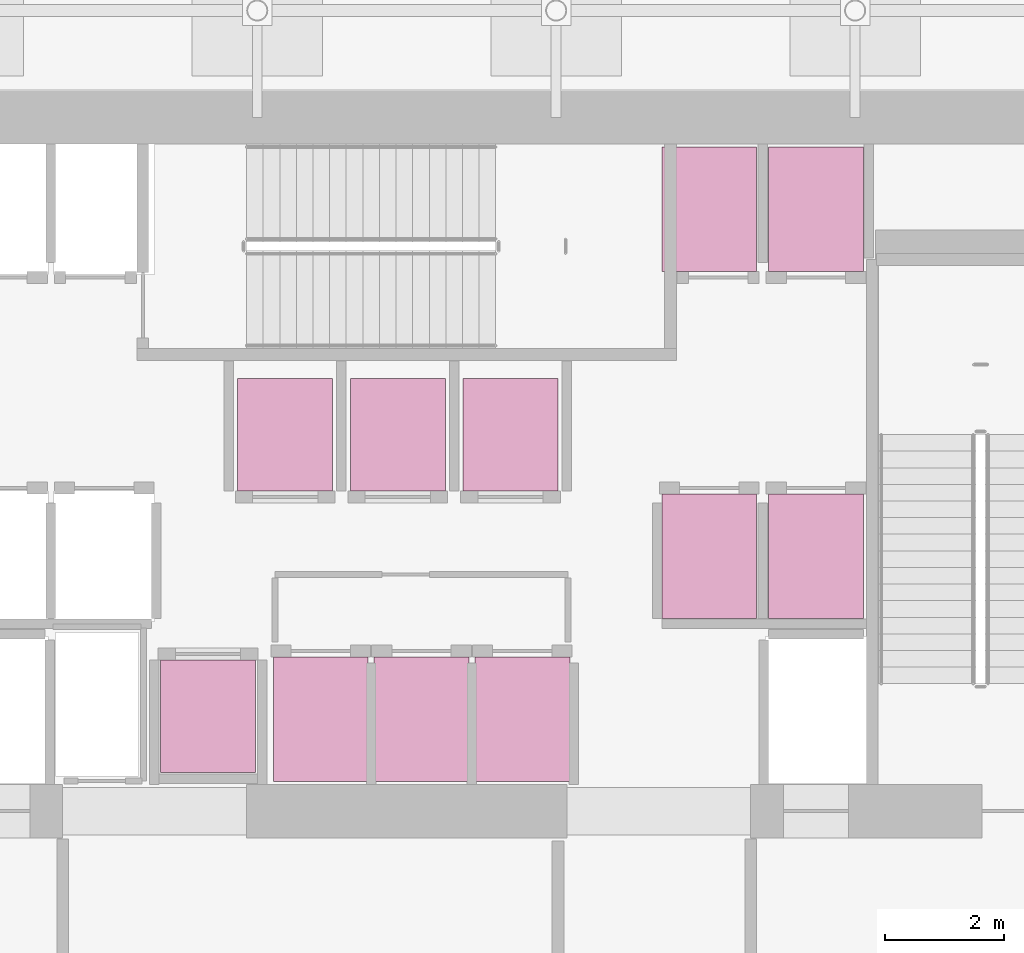
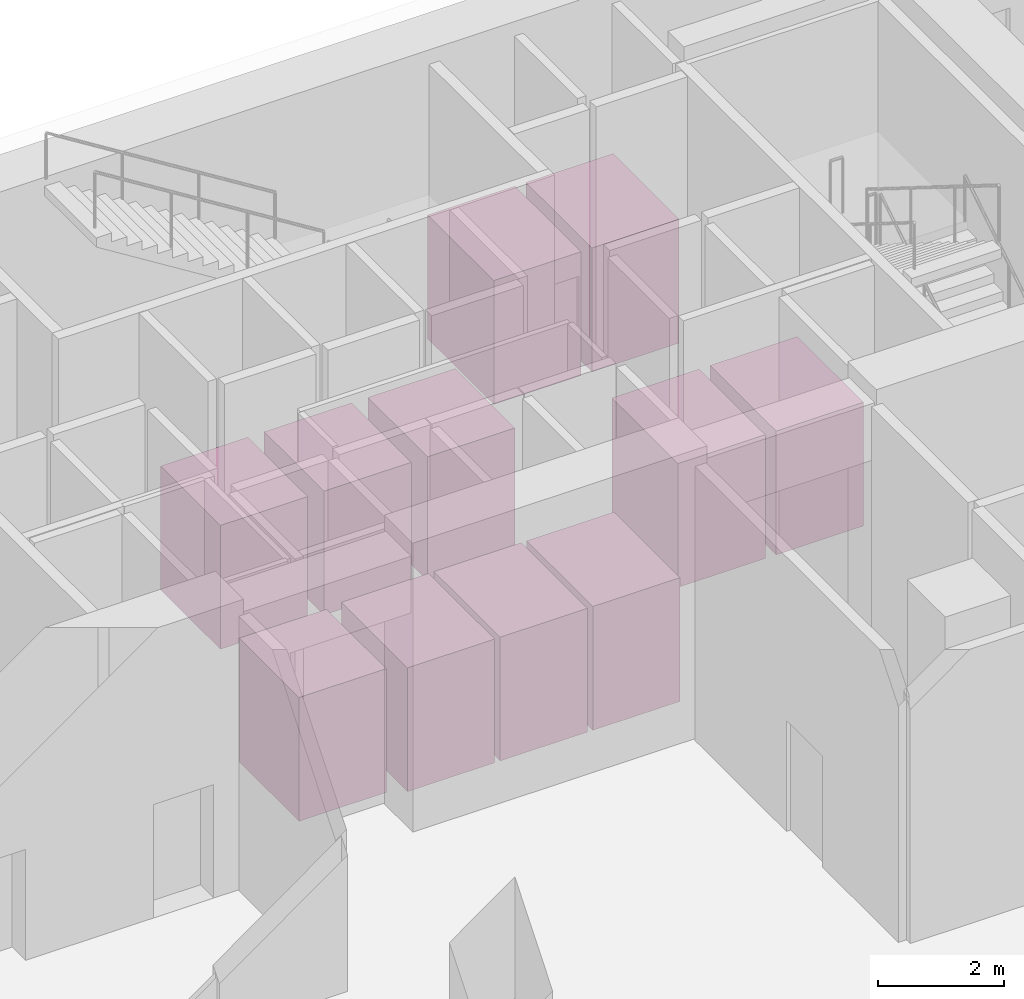
# One storey, part 35 of 35: 11 transport elements.
"""IFC4 building model written with IfcOpenShell, lengths in metres."""

from ifc_helpers import new_model, si_unit, direction, frame, origin, origin_2d, place, context, subcontext, project, spatial, rectangle, extrude, material, type_object, element, save


model = new_model("IFC4")

# Units and contexts
model_context = context("Model", 3, precision=1e-05, world=origin(), true_north=direction((0.0, 1.0)))
body_context = subcontext(model_context, "Body", "Model", "MODEL_VIEW")
ifc_project = project(units=[si_unit("LENGTHUNIT", "METRE"), si_unit("AREAUNIT", "SQUARE_METRE"), si_unit("VOLUMEUNIT", "CUBIC_METRE"), si_unit("PLANEANGLEUNIT", "RADIAN"), si_unit("MASSUNIT", "GRAM", prefix="KILO")], contexts=[model_context])

# Site, building, storey
site_placement = place(None, origin())
site = spatial("IfcSite", under=ifc_project, at=site_placement, CompositionType="ELEMENT")
building_placement = place(site_placement, origin())
building = spatial("IfcBuilding", under=site, at=building_placement, Name="Maruvema Waterfront Hotel and Observation Tower", CompositionType="ELEMENT")
storey_placement = place(building_placement, origin())
storey = spatial("IfcBuildingStorey", under=building, at=storey_placement, Name="L00", CompositionType="ELEMENT", Elevation=0.0)

# Transport elements
ifc_material_1 = material(Name="Brushed stainless steel Grade 316", Category="steel")
transport_element_type_1 = type_object("IfcTransportElementType", Name="Observation Express Shuttle Car 1600x1900 mm (2000 kg)", PredefinedType="ELEVATOR", material=ifc_material_1)
for number, where, z_axis, x_axis, name in (
    (1, (35.75, 48.199951171875, 0.050048828125), (0.0, 0.0, 1.0), (1.0, 0.0, 0.0), "Passenger Elevator Car LF-12"),
    (2, (37.64990234375, 48.199951171875, 0.050048828125), (0.0, 0.0, 1.0), (1.0, 0.0, 0.0), "Passenger Elevator Car LF-13"),
    (3, (39.550048828125, 48.199951171875, 0.050048828125), (0.0, 0.0, 1.0), (1.0, 0.0, 0.0), "Passenger Elevator Car LF-14"),
    (4, (34.449951171875, 43.449951171875, 0.050048828125), (0.0, 0.0, 1.0), (1.0, 0.0, 0.0), "Passenger Elevator Car LF-15"),
):
    element("IfcTransportElement", number, at=place(storey_placement, frame(where, z_axis=z_axis, x_axis=x_axis)), inside=storey, type_object=transport_element_type_1, Name=name, PredefinedType="ELEVATOR", context=body_context, shape_type="SweptSolid", body=[
        extrude(rectangle(XDim=1.60009765625, YDim=1.89990234375, at=origin_2d()), origin(), (0.0, 0.0, 1.0), 2.39990234375),
    ])
ifc_material_2 = material(Name="Brushed stainless steel Grade 316", Category="steel")
transport_element_type_2 = type_object("IfcTransportElementType", Name="Passenger Elevator Car 1600x2100 mm (1600 kg)", PredefinedType="ELEVATOR", material=ifc_material_2)
for number, where, z_axis, x_axis, name in (
    (5, (42.89990234375, 46.14990234375, 0.050048828125), (0.0, 0.0, 1.0), (1.0, 0.0, 0.0), "Passenger Elevator Car LF-05"),
    (6, (44.699951171875, 46.14990234375, 0.050048828125), (0.0, 0.0, 1.0), (1.0, 0.0, 0.0), "Passenger Elevator Car LF-06"),
    (7, (42.89990234375, 52.0, 0.050048828125), (0.0, 0.0, 1.0), (1.0, 0.0, 0.0), "Passenger Elevator Car LF-07"),
    (8, (44.699951171875, 52.0, 0.050048828125), (0.0, 0.0, 1.0), (1.0, 0.0, 0.0), "Passenger Elevator Car LF-08"),
    (9, (36.35009765625, 43.39990234375, 0.050048828125), (0.0, 0.0, 1.0), (1.0, 0.0, 0.0), "Passenger Elevator Car LF-09"),
    (10, (38.050048828125, 43.39990234375, 0.050048828125), (0.0, 0.0, 1.0), (1.0, 0.0, 0.0), "Passenger Elevator Car LF-10"),
    (11, (39.75, 43.39990234375, 0.050048828125), (0.0, 0.0, 1.0), (1.0, 0.0, 0.0), "Passenger Elevator Car LF-11"),
):
    element("IfcTransportElement", number, at=place(storey_placement, frame(where, z_axis=z_axis, x_axis=x_axis)), inside=storey, type_object=transport_element_type_2, Name=name, PredefinedType="ELEVATOR", context=body_context, shape_type="SweptSolid", body=[
        extrude(rectangle(XDim=1.60009765625, YDim=2.10009765625, at=origin_2d()), origin(), (0.0, 0.0, 1.0), 2.39990234375),
    ])

save(model, "model.ifc")
